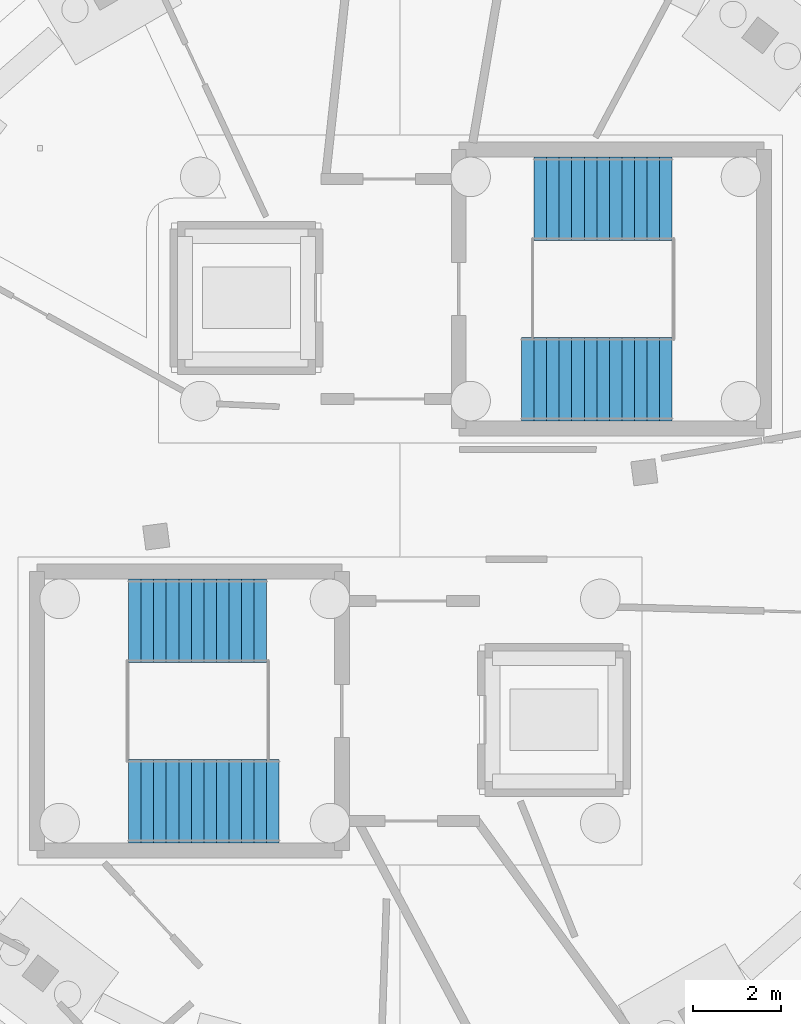
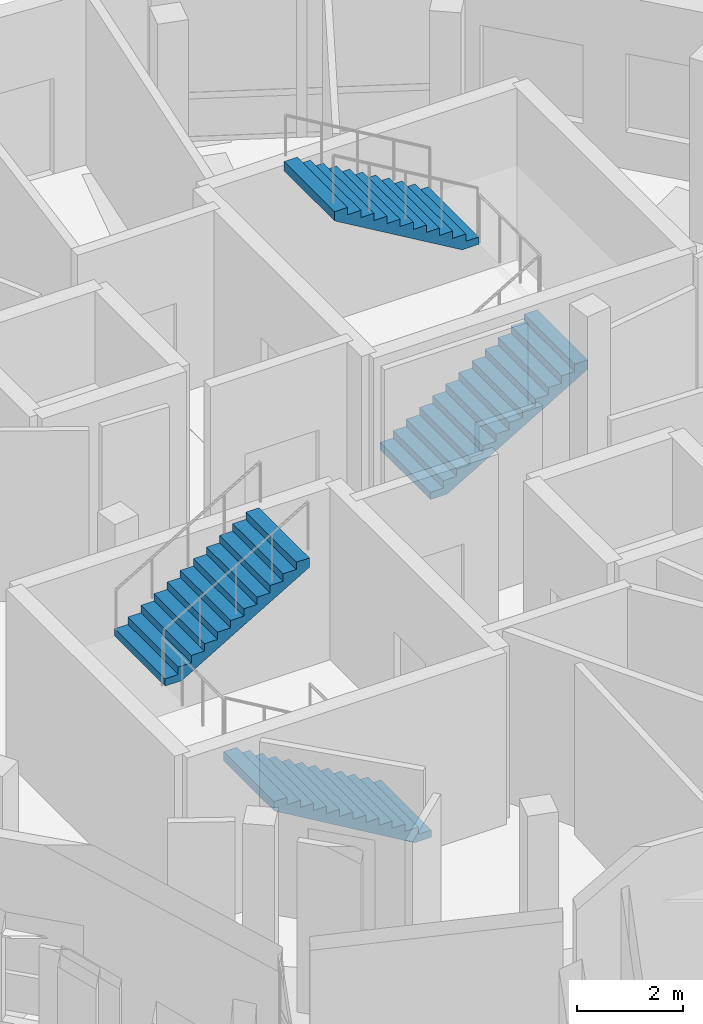
# One storey, part 97 of 113: 4 stair flights, 2 elements without a shape of their own.
"""IFC4 building model written with IfcOpenShell, lengths in metres."""

import ifcopenshell
import ifcopenshell.guid

model = None  # the IFC model being written
_history = None  # IfcOwnerHistory: only IFC2X3 demands one
_inside = {}  # id of a spatial element -> (the spatial element, [elements in it])
_under = {}  # id of a project, library or spatial element -> (it, [spatial elements below it])
_declared = {}  # id of a project -> (the project, [libraries it declares])
_typed = {}  # id of a type object -> (the type object, [elements of that type])
_made_of = {}  # id of a material, layer set ... -> (it, [elements and type objects made of it])


def new_model(schema):
    """Start an empty IFC model of exactly this schema.

    Asked for "IFC4X3", IfcOpenShell would pick the latest addendum, in which some entities
    have other attributes; the version numbers below select the first issue.
    IFC2X3 requires an IfcOwnerHistory on every rooted entity: one is made here for all.
    """
    global model, _history
    if schema == "IFC4X3":
        model = ifcopenshell.file(schema_version=(4, 3, 0, 0))
    else:
        model = ifcopenshell.file(schema=schema)
    _inside.clear()
    _under.clear()
    _declared.clear()
    _typed.clear()
    _made_of.clear()
    _history = None
    if model.schema == "IFC2X3":
        org = make("IfcOrganization", Name="unknown")
        user = make(
            "IfcPersonAndOrganization",
            ThePerson=make("IfcPerson", FamilyName="unknown"),
            TheOrganization=org,
        )
        app = make(
            "IfcApplication",
            ApplicationDeveloper=org,
            Version="unknown",
            ApplicationFullName="unknown",
            ApplicationIdentifier="unknown",
        )
        _history = make(
            "IfcOwnerHistory",
            OwningUser=user,
            OwningApplication=app,
            ChangeAction="ADDED",
            CreationDate=0,
        )
    return model


def make(cls, **values):
    """One entity of the class cls with the attributes given. An attribute that is None is left unset."""
    return model.create_entity(
        cls, **{name: value for name, value in values.items() if value is not None}
    )


def rooted(cls, **values):
    """An entity with a GlobalId (a new one), such as an element, a storey or a relation."""
    return make(cls, GlobalId=ifcopenshell.guid.new(), OwnerHistory=_history, **values)


def si_unit(unit_type, name, prefix=None):
    """IfcSIUnit, for example si_unit("LENGTHUNIT", "METRE", prefix="MILLI")."""
    return make("IfcSIUnit", UnitType=unit_type, Prefix=prefix, Name=name)


def assignment(units):
    """IfcUnitAssignment: the units of a project."""
    return None if units is None else make("IfcUnitAssignment", Units=units)


def point(xyz):
    """IfcCartesianPoint."""
    return None if xyz is None else make("IfcCartesianPoint", Coordinates=xyz)


def direction(xyz):
    """IfcDirection."""
    return None if xyz is None else make("IfcDirection", DirectionRatios=xyz)


def frame(location, z_axis=None, x_axis=None):
    """IfcAxis2Placement3D, a coordinate frame: its origin and axes. An axis left out is left unset."""
    return make(
        "IfcAxis2Placement3D",
        Location=point(location),
        Axis=direction(z_axis),
        RefDirection=direction(x_axis),
    )


def origin():
    """The frame at (0, 0, 0) with its axes left unset."""
    return frame((0.0, 0.0, 0.0))


def place(relative_to, where):
    """IfcLocalPlacement: puts the frame where relative to a parent placement (None: the world)."""
    return make(
        "IfcLocalPlacement", PlacementRelTo=relative_to, RelativePlacement=where
    )


def context(
    kind, dimensions, precision=None, world=None, true_north=None, identifier=None
):
    """IfcGeometricRepresentationContext, for example the 3D "Model" context."""
    return make(
        "IfcGeometricRepresentationContext",
        ContextIdentifier=identifier,
        ContextType=kind,
        CoordinateSpaceDimension=dimensions,
        Precision=precision,
        WorldCoordinateSystem=world,
        TrueNorth=true_north,
    )


def subcontext(parent, identifier, kind, view, scale=None):
    """IfcGeometricRepresentationSubContext, for example "Body" below "Model"."""
    return make(
        "IfcGeometricRepresentationSubContext",
        ContextIdentifier=identifier,
        ContextType=kind,
        ParentContext=parent,
        TargetScale=scale,
        TargetView=view,
    )


def project(units=None, contexts=None):
    """IfcProject with its units and contexts."""
    return rooted(
        "IfcProject",
        Name="project",
        RepresentationContexts=contexts,
        UnitsInContext=assignment(units),
    )


def spatial(cls, under=None, at=None, **own):
    """A site, building, storey or space (cls), placed at a placement, below another one or the project."""
    s = rooted(cls, ObjectPlacement=at, **own)
    if under is not None:
        _under.setdefault(under.id(), (under, []))[1].append(s)
    return s


def polyline(points):
    """IfcPolyline through the points."""
    return make("IfcPolyline", Points=[point(p) for p in points])


def outline(outer, holes=None, kind="AREA"):
    """IfcArbitraryClosedProfileDef: a profile drawn as a closed curve; with holes, ...WithVoids."""
    if holes is None:
        return make("IfcArbitraryClosedProfileDef", ProfileType=kind, OuterCurve=outer)
    return make(
        "IfcArbitraryProfileDefWithVoids",
        ProfileType=kind,
        OuterCurve=outer,
        InnerCurves=holes,
    )


def extrude(swept, where, along, depth):
    """IfcExtrudedAreaSolid: the profile swept, set in the frame where, extruded along a direction by depth."""
    return make(
        "IfcExtrudedAreaSolid",
        SweptArea=swept,
        Position=where,
        ExtrudedDirection=direction(along),
        Depth=depth,
    )


def shape(context_of_items, identifier, shape_type, items):
    """IfcShapeRepresentation: the items that make up one representation, for example the "Body"."""
    return make(
        "IfcShapeRepresentation",
        ContextOfItems=context_of_items,
        RepresentationIdentifier=identifier,
        RepresentationType=shape_type,
        Items=items,
    )


def material(Name=None, Category=None):
    """IfcMaterial."""
    return make("IfcMaterial", Name=Name, Category=Category)


def made_of(thing, what):
    """Note that an element or type object is made of a material, layer set ...; save() writes the relation."""
    if what is not None:
        _made_of.setdefault(what.id(), (what, []))[1].append(thing)
    return thing


def type_object(cls, material=None, **own):
    """A type object (cls), such as IfcWallType, which elements share."""
    return made_of(rooted(cls, **own), material)


def element(
    cls,
    number,
    at=None,
    inside=None,
    cuts=None,
    type_object=None,
    material=None,
    context=None,
    identifier="Body",
    shape_type=None,
    held_by="IfcProductDefinitionShape",
    body=None,
    shapes=None,
    **own,
):
    """One element of the class cls, such as IfcWall. Its Tag is "e" and its number.

    at: its placement. inside: the storey or other place that contains it. cuts: it is an
    opening in that element (IfcRelVoidsElement). A single representation is given by context,
    identifier, shape_type and body (its items); several are given by shapes. held_by: the class
    of the entity that holds the representations. save() writes the other relations.
    """
    e = rooted(cls, Tag="e%d" % number, ObjectPlacement=at, **own)
    if body is not None:
        shapes = [shape(context, identifier, shape_type, body)]
    if shapes is not None:
        e.Representation = make(held_by, Representations=shapes)
    if inside is not None:
        _inside.setdefault(inside.id(), (inside, []))[1].append(e)
    if cuts is not None:
        rooted(
            "IfcRelVoidsElement", RelatingBuildingElement=cuts, RelatedOpeningElement=e
        )
    if type_object is not None:
        _typed.setdefault(type_object.id(), (type_object, []))[1].append(e)
    return made_of(e, material)


def aggregate(whole, parts):
    """IfcRelAggregates: a whole, such as a stair, and the parts it consists of."""
    return rooted("IfcRelAggregates", RelatingObject=whole, RelatedObjects=parts)


def save(model, path):
    """Write the relations noted so far, then the file.

    IfcRelAggregates (storeys below a building ...), IfcRelContainedInSpatialStructure (elements
    in a storey), IfcRelDefinesByType, IfcRelAssociatesMaterial and IfcRelDeclares: one each for
    every whole, place, type object, material and project.
    """
    for whole, parts in _under.values():
        aggregate(whole, parts)
    for where, things in _inside.values():
        rooted(
            "IfcRelContainedInSpatialStructure",
            RelatedElements=things,
            RelatingStructure=where,
        )
    for kind, things in _typed.values():
        rooted("IfcRelDefinesByType", RelatedObjects=things, RelatingType=kind)
    for what, things in _made_of.values():
        rooted("IfcRelAssociatesMaterial", RelatedObjects=things, RelatingMaterial=what)
    for by, libraries in _declared.values():
        rooted("IfcRelDeclares", RelatingContext=by, RelatedDefinitions=libraries)
    model.write(path)


model = new_model("IFC4")

# Units and contexts
model_context = context("Model", 3, precision=1e-05, world=origin(), true_north=direction((0.0, 1.0)))
body_context = subcontext(model_context, "Body", "Model", "MODEL_VIEW")
ifc_project = project(units=[si_unit("LENGTHUNIT", "METRE"), si_unit("AREAUNIT", "SQUARE_METRE"), si_unit("VOLUMEUNIT", "CUBIC_METRE"), si_unit("PLANEANGLEUNIT", "RADIAN"), si_unit("MASSUNIT", "GRAM", prefix="KILO")], contexts=[model_context])

# Site, building, storey
site_placement = place(None, origin())
site = spatial("IfcSite", under=ifc_project, at=site_placement, CompositionType="ELEMENT")
building_placement = place(site_placement, origin())
building = spatial("IfcBuilding", under=site, at=building_placement, Name="Wrenclough Park School", CompositionType="ELEMENT")
storey_placement = place(building_placement, origin())
storey = spatial("IfcBuildingStorey", under=building, at=storey_placement, Name="L00", CompositionType="ELEMENT", Elevation=0.0)

# Stair, stair flights
ifc_material = material(Name="Precast concrete C40/50", Category="concrete")
stair_type = type_object("IfcStairType", Name="INT-ST-190-42", PredefinedType="HALF_TURN_STAIR", material=ifc_material)
stair_1_placement = place(storey_placement, origin())
stair_1 = element("IfcStair", 1, at=stair_1_placement, inside=storey, type_object=stair_type, Name="L00 escape stair ST-05", PredefinedType="HALF_TURN_STAIR")
stair_flight_type = type_object("IfcStairFlightType", Name="INT-FL-190-168", PredefinedType="STRAIGHT", material=ifc_material)
stair_flight_1_placement = place(storey_placement, frame((171.739990234375, 86.75, 0.0), z_axis=(0.0, 0.0, 1.0), x_axis=(-1.0, 0.0, 0.0)))
stair_flight_1 = element("IfcStairFlight", 2, at=stair_flight_1_placement, type_object=stair_flight_type, Name="ST-05 flight 1", NumberOfRisers=13, NumberOfTreads=12, PredefinedType="STRAIGHT", RiserHeight=0.168, TreadLength=0.285, context=body_context, shape_type="SweptSolid", body=[
    extrude(outline(polyline([(0.0, 0.0), (0.0, 0.16796875), (0.284912109375, 0.16796875), (0.284912109375, 0.3359375), (0.570068359375, 0.3359375), (0.570068359375, 0.50390625), (0.85498046875, 0.50390625), (0.85498046875, 0.672119140625), (1.139892578125, 0.672119140625), (1.139892578125, 0.840087890625), (1.425048828125, 0.840087890625), (1.425048828125, 1.008056640625), (1.7099609375, 1.008056640625), (1.7099609375, 1.176025390625), (1.9951171875, 1.176025390625), (1.9951171875, 1.343994140625), (2.280029296875, 1.343994140625), (2.280029296875, 1.511962890625), (2.56494140625, 1.511962890625), (2.56494140625, 1.679931640625), (2.85009765625, 1.679931640625), (2.85009765625, 1.847900390625), (3.135009765625, 1.847900390625), (3.135009765625, 2.01611328125), (3.419921875, 2.01611328125), (3.419921875, 2.18408203125), (3.419921875, 1.80126953125), (0.364501953125, 0.0), (0.0, 0.0)])), frame((0.0, 0.949951171875, 0.0), z_axis=(0.0, -1.0, 0.0), x_axis=(1.0, 0.0, 0.0)), (0.0, 0.0, 1.0), 1.89990234375),
])
stair_flight_2_placement = place(storey_placement, frame((168.320068359375, 90.85009765625, 2.18408203125), z_axis=(0.0, 0.0, 1.0), x_axis=(1.0, 0.0, 0.0)))
stair_flight_2 = element("IfcStairFlight", 3, at=stair_flight_2_placement, type_object=stair_flight_type, Name="ST-05 flight 2", NumberOfRisers=12, NumberOfTreads=11, PredefinedType="STRAIGHT", RiserHeight=0.168, TreadLength=0.285, context=body_context, shape_type="SweptSolid", body=[
    extrude(outline(polyline([(0.0, 0.0), (0.0, 0.16796875), (0.284912109375, 0.16796875), (0.284912109375, 0.3359375), (0.570068359375, 0.3359375), (0.570068359375, 0.50390625), (0.85498046875, 0.50390625), (0.85498046875, 0.672119140625), (1.139892578125, 0.672119140625), (1.139892578125, 0.840087890625), (1.425048828125, 0.840087890625), (1.425048828125, 1.008056640625), (1.7099609375, 1.008056640625), (1.7099609375, 1.176025390625), (1.9951171875, 1.176025390625), (1.9951171875, 1.343994140625), (2.280029296875, 1.343994140625), (2.280029296875, 1.511962890625), (2.56494140625, 1.511962890625), (2.56494140625, 1.679931640625), (2.85009765625, 1.679931640625), (2.85009765625, 1.847900390625), (3.135009765625, 1.847900390625), (3.135009765625, 2.01611328125), (3.135009765625, 1.63330078125), (0.364501953125, 0.0), (0.0, 0.0)])), frame((0.0, 0.949951171875, 0.0), z_axis=(0.0, -1.0, 0.0), x_axis=(1.0, 0.0, 0.0)), (0.0, 0.0, 1.0), 1.89990234375),
])
aggregate(stair_1, [stair_flight_1, stair_flight_2])

stair_2_placement = place(storey_placement, origin())
stair_2 = element("IfcStair", 4, at=stair_2_placement, inside=storey, type_object=stair_type, Name="L00 escape stair ST-06", PredefinedType="HALF_TURN_STAIR")
stair_flight_3_placement = place(storey_placement, frame((177.260009765625, 96.35009765625, 0.0), z_axis=(0.0, 0.0, 1.0), x_axis=(1.0, 0.0, 0.0)))
stair_flight_3 = element("IfcStairFlight", 5, at=stair_flight_3_placement, type_object=stair_flight_type, Name="ST-06 flight 1", NumberOfRisers=13, NumberOfTreads=12, PredefinedType="STRAIGHT", RiserHeight=0.168, TreadLength=0.285, context=body_context, shape_type="SweptSolid", body=[
    extrude(outline(polyline([(0.0, 0.0), (0.0, 0.16796875), (0.284912109375, 0.16796875), (0.284912109375, 0.3359375), (0.570068359375, 0.3359375), (0.570068359375, 0.50390625), (0.85498046875, 0.50390625), (0.85498046875, 0.672119140625), (1.139892578125, 0.672119140625), (1.139892578125, 0.840087890625), (1.425048828125, 0.840087890625), (1.425048828125, 1.008056640625), (1.7099609375, 1.008056640625), (1.7099609375, 1.176025390625), (1.9951171875, 1.176025390625), (1.9951171875, 1.343994140625), (2.280029296875, 1.343994140625), (2.280029296875, 1.511962890625), (2.56494140625, 1.511962890625), (2.56494140625, 1.679931640625), (2.85009765625, 1.679931640625), (2.85009765625, 1.847900390625), (3.135009765625, 1.847900390625), (3.135009765625, 2.01611328125), (3.419921875, 2.01611328125), (3.419921875, 2.18408203125), (3.419921875, 1.80126953125), (0.364501953125, 0.0), (0.0, 0.0)])), frame((0.0, 0.949951171875, 0.0), z_axis=(0.0, -1.0, 0.0), x_axis=(1.0, 0.0, 0.0)), (0.0, 0.0, 1.0), 1.89990234375),
])
stair_flight_4_placement = place(storey_placement, frame((180.679931640625, 100.449951171875, 2.18408203125), z_axis=(0.0, 0.0, 1.0), x_axis=(-1.0, 0.0, 0.0)))
stair_flight_4 = element("IfcStairFlight", 6, at=stair_flight_4_placement, type_object=stair_flight_type, Name="ST-06 flight 2", NumberOfRisers=12, NumberOfTreads=11, PredefinedType="STRAIGHT", RiserHeight=0.168, TreadLength=0.285, context=body_context, shape_type="SweptSolid", body=[
    extrude(outline(polyline([(0.0, 0.0), (0.0, 0.16796875), (0.284912109375, 0.16796875), (0.284912109375, 0.3359375), (0.570068359375, 0.3359375), (0.570068359375, 0.50390625), (0.85498046875, 0.50390625), (0.85498046875, 0.672119140625), (1.139892578125, 0.672119140625), (1.139892578125, 0.840087890625), (1.425048828125, 0.840087890625), (1.425048828125, 1.008056640625), (1.7099609375, 1.008056640625), (1.7099609375, 1.176025390625), (1.9951171875, 1.176025390625), (1.9951171875, 1.343994140625), (2.280029296875, 1.343994140625), (2.280029296875, 1.511962890625), (2.56494140625, 1.511962890625), (2.56494140625, 1.679931640625), (2.85009765625, 1.679931640625), (2.85009765625, 1.847900390625), (3.135009765625, 1.847900390625), (3.135009765625, 2.01611328125), (3.135009765625, 1.63330078125), (0.364501953125, 0.0), (0.0, 0.0)])), frame((0.0, 0.949951171875, 0.0), z_axis=(0.0, -1.0, 0.0), x_axis=(1.0, 0.0, 0.0)), (0.0, 0.0, 1.0), 1.89990234375),
])
aggregate(stair_2, [stair_flight_3, stair_flight_4])

save(model, "model.ifc")
